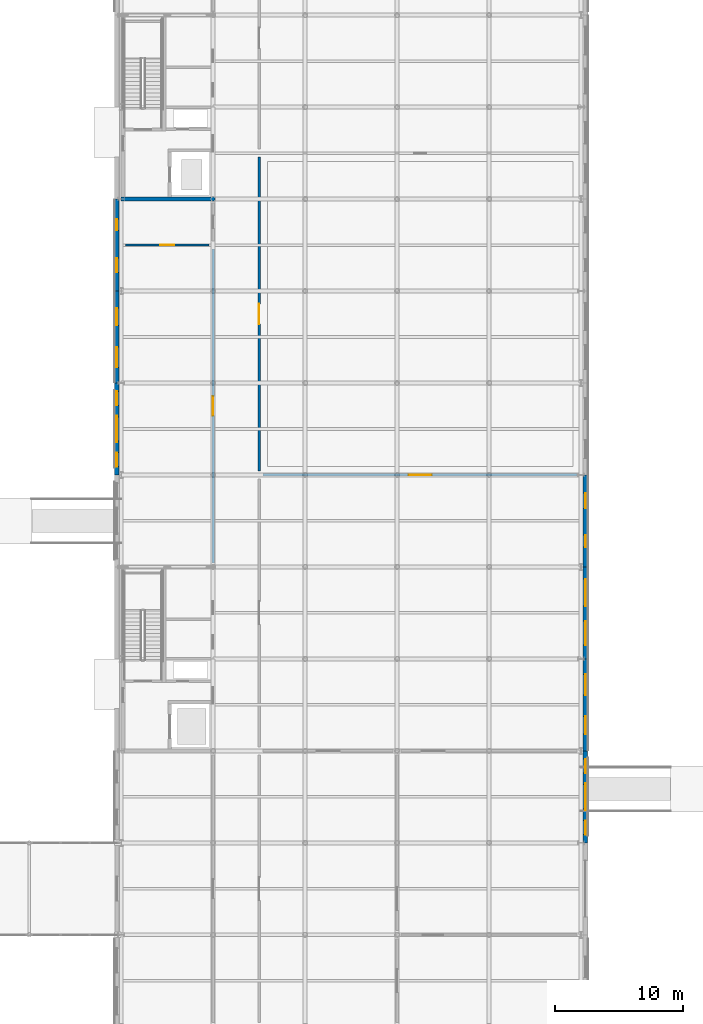
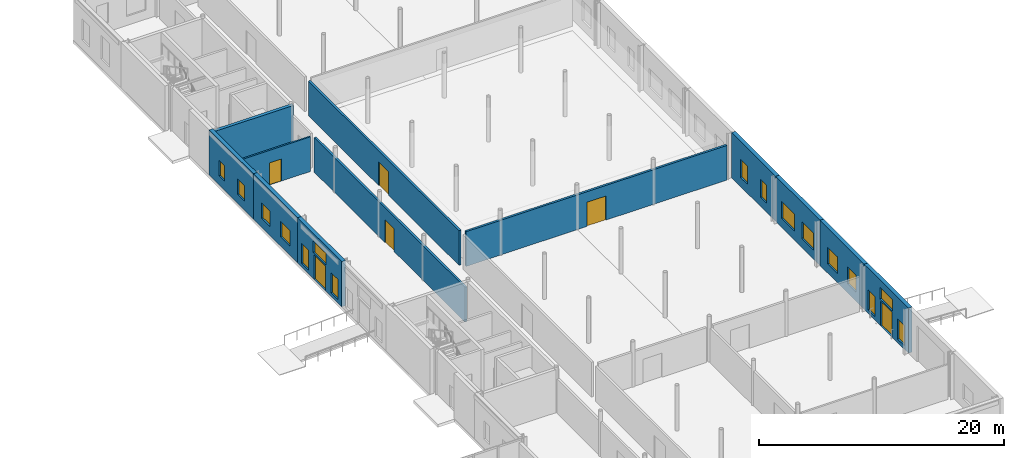
# One storey, part 68 of 92: 16 windows, 12 walls, 6 doors, 22 openings.
"""IFC4 building model written with IfcOpenShell, lengths in metres."""

from ifc_helpers import new_model, si_unit, direction, frame, frame_2d, origin, place, context, subcontext, project, spatial, rectangle, extrude, material, layer, layer_set, type_object, element, fill, save


model = new_model("IFC4")

# Units and contexts
model_context = context("Model", 3, precision=1e-05, world=origin(), true_north=direction((0.0, 1.0)))
body_context = subcontext(model_context, "Body", "Model", "MODEL_VIEW")
ifc_project = project(units=[si_unit("LENGTHUNIT", "METRE"), si_unit("AREAUNIT", "SQUARE_METRE"), si_unit("VOLUMEUNIT", "CUBIC_METRE"), si_unit("PLANEANGLEUNIT", "RADIAN"), si_unit("MASSUNIT", "GRAM", prefix="KILO")], contexts=[model_context])

# Site, building, storey
site_placement = place(None, origin())
site = spatial("IfcSite", under=ifc_project, at=site_placement, CompositionType="ELEMENT")
building_placement = place(site_placement, origin())
building = spatial("IfcBuilding", under=site, at=building_placement, Name="Zlatovets Crest Museum", CompositionType="ELEMENT")
storey_placement = place(building_placement, origin())
storey = spatial("IfcBuildingStorey", under=building, at=storey_placement, Name="L00", CompositionType="ELEMENT", Elevation=0.0)

# Wall
ifc_material_1 = material(Name="Concrete C35/45", Category="concrete")
ifc_layer_1 = layer(ifc_material_1, 0.300048828125)
ifc_layer_set_1 = layer_set([ifc_layer_1], Name="Concrete C35/45")
wall_type_1 = type_object("IfcWallType", Name="CoreWall_SW01", PredefinedType="SHEAR", material=ifc_layer_set_1)
wall_1_placement = place(storey_placement, frame((129.60009765625, 79.199951171875, 0.0), z_axis=(0.0, 0.0, 1.0), x_axis=(1.0, 0.0, 0.0)))
element("IfcWall", 1, at=wall_1_placement, inside=storey, type_object=wall_type_1, Name="Core C7 L00 South Shear Wall", PredefinedType="SHEAR", context=body_context, shape_type="SweptSolid", body=[
    extrude(rectangle(XDim=7.349853515625, YDim=0.300048828125, at=frame_2d((3.6748046875, 0.0))), origin(), (0.0, 0.0, 1.0), 4.280029296875),
])

# Wall, openings, door, windows
ifc_material_2 = material(Name="Vratsa limestone ashlar masonry and mineral wool", Category="masonry")
ifc_layer_2 = layer(ifc_material_2, 0.35009765625)
ifc_layer_set_2 = layer_set([ifc_layer_2], Name="Vratsa limestone ashlar masonry and mineral wool")
wall_type_2 = type_object("IfcWallType", Name="ExtWall_EW-01", PredefinedType="STANDARD", material=ifc_layer_set_2)
wall_2_placement = place(storey_placement, frame((165.93994140625, 28.800048828125, 0.0), z_axis=(0.0, 0.0, 1.0), x_axis=(0.0, 1.0, 0.0)))
wall_2 = element("IfcWall", 2, at=wall_2_placement, inside=storey, type_object=wall_type_2, Name="V5 L00 Sculpted Art Nouveau Portal Wall", PredefinedType="STANDARD", context=body_context, shape_type="SweptSolid", body=[
    extrude(rectangle(XDim=7.199951171875, YDim=0.35009765625, at=frame_2d((3.60009765625, 0.0))), origin(), (0.0, 0.0, 1.0), 4.5),
])
opening_1_placement = place(wall_2_placement, frame((2.64990234375, 0.0, 0.0)))
opening_1 = element("IfcOpeningElement", 3, at=opening_1_placement, cuts=wall_2, Name="Opening ED-02", PredefinedType="OPENING", context=body_context, shape_type="SweptSolid", body=[
    extrude(rectangle(XDim=1.89990234375, YDim=2.449951171875, at=frame_2d((0.949951171875, 1.22509765625))), frame((0.0, 0.18505859375, 0.0), z_axis=(0.0, -1.0, 0.0), x_axis=(1.0, 0.0, 0.0)), (0.0, 0.0, 1.0), 0.3701171875),
])
opening_2_placement = place(wall_2_placement, frame((2.550048828125, 0.0, 2.60009765625)))
opening_2 = element("IfcOpeningElement", 4, at=opening_2_placement, cuts=wall_2, Name="Opening WN-13", PredefinedType="OPENING", context=body_context, shape_type="SweptSolid", body=[
    extrude(rectangle(XDim=2.10009765625, YDim=1.14990234375, at=frame_2d((1.050048828125, 0.574951171875))), frame((0.0, 0.18505859375, 0.0), z_axis=(0.0, -1.0, 0.0), x_axis=(1.0, 0.0, 0.0)), (0.0, 0.0, 1.0), 0.3701171875),
])
opening_3_placement = place(wall_2_placement, frame((0.64990234375, 0.0, 0.35009765625)))
opening_3 = element("IfcOpeningElement", 5, at=opening_3_placement, cuts=wall_2, Name="Opening WN-06", PredefinedType="OPENING", context=body_context, shape_type="SweptSolid", body=[
    extrude(rectangle(XDim=1.10009765625, YDim=2.0, at=frame_2d((0.550048828125, 1.0))), frame((0.0, 0.18505859375, 0.0), z_axis=(0.0, -1.0, 0.0), x_axis=(1.0, 0.0, 0.0)), (0.0, 0.0, 1.0), 0.3701171875),
])
opening_4_placement = place(wall_2_placement, frame((5.449951171875, 0.0, 0.35009765625)))
opening_4 = element("IfcOpeningElement", 6, at=opening_4_placement, cuts=wall_2, Name="Opening WN-06", PredefinedType="OPENING", context=body_context, shape_type="SweptSolid", body=[
    extrude(rectangle(XDim=1.10009765625, YDim=2.0, at=frame_2d((0.550048828125, 1.0))), frame((0.0, 0.18505859375, 0.0), z_axis=(0.0, -1.0, 0.0), x_axis=(1.0, 0.0, 0.0)), (0.0, 0.0, 1.0), 0.3701171875),
])
ifc_material_3 = material(Name="Bronze-clad insulated steel door", Category="steel")
door_type_1 = type_object("IfcDoorType", Name="ExtDoor_ED-02", OperationType="NOTDEFINED", PredefinedType="DOOR", material=ifc_material_3)
door_1_placement = place(opening_1_placement, origin())
door_1 = element("IfcDoor", 7, at=door_1_placement, inside=storey, type_object=door_type_1, Name="ED-V5-L00-P043 LOADING DOCK SERVICE PORTAL Exit Door", OperationType="DOUBLE_DOOR_SINGLE_SWING", OverallHeight=2.449951171875, OverallWidth=1.89990234375, PredefinedType="DOOR", context=body_context, shape_type="SweptSolid", body=[
    extrude(rectangle(XDim=1.89990234375, YDim=2.449951171875, at=frame_2d((0.949951171875, 1.22509765625))), frame((0.0, 0.02490234375, 0.0), z_axis=(0.0, -1.0, 0.0), x_axis=(1.0, 0.0, 0.0)), (0.0, 0.0, 1.0), 0.050048828125),
])
fill(opening_1, door_1)
ifc_material_4 = material(Name="Bronze-anodised aluminium frame with low-E triple glass", Category="aluminium")
window_type_1 = type_object("IfcWindowType", Name="Win_WN-06", PartitioningType="SINGLE_PANEL", PredefinedType="WINDOW", material=ifc_material_4)
window_1_placement = place(opening_3_placement, origin())
window_1 = element("IfcWindow", 8, at=window_1_placement, inside=storey, type_object=window_type_1, Name="LOADING DOCK SERVICE PORTAL Glazed Portal Sidelight 1", OverallHeight=2.0, OverallWidth=1.10009765625, PartitioningType="SINGLE_PANEL", PredefinedType="WINDOW", context=body_context, shape_type="SweptSolid", body=[
    extrude(rectangle(XDim=1.10009765625, YDim=2.0, at=frame_2d((0.550048828125, 1.0))), frame((0.0, 0.030029296875, 0.0), z_axis=(0.0, -1.0, 0.0), x_axis=(1.0, 0.0, 0.0)), (0.0, 0.0, 1.0), 0.06005859375),
])
fill(opening_3, window_1)
window_2_placement = place(opening_4_placement, origin())
window_2 = element("IfcWindow", 9, at=window_2_placement, inside=storey, type_object=window_type_1, Name="LOADING DOCK SERVICE PORTAL Glazed Portal Sidelight 2", OverallHeight=2.0, OverallWidth=1.10009765625, PartitioningType="SINGLE_PANEL", PredefinedType="WINDOW", context=body_context, shape_type="SweptSolid", body=[
    extrude(rectangle(XDim=1.10009765625, YDim=2.0, at=frame_2d((0.550048828125, 1.0))), frame((0.0, 0.030029296875, 0.0), z_axis=(0.0, -1.0, 0.0), x_axis=(1.0, 0.0, 0.0)), (0.0, 0.0, 1.0), 0.06005859375),
])
fill(opening_4, window_2)
window_type_2 = type_object("IfcWindowType", Name="Win_WN-13", PartitioningType="SINGLE_PANEL", PredefinedType="WINDOW", material=ifc_material_4)
window_3_placement = place(opening_2_placement, origin())
window_3 = element("IfcWindow", 10, at=window_3_placement, inside=storey, type_object=window_type_2, Name="LOADING DOCK SERVICE PORTAL Arched Portal Fanlight", OverallHeight=1.14990234375, OverallWidth=2.10009765625, PartitioningType="SINGLE_PANEL", PredefinedType="WINDOW", context=body_context, shape_type="SweptSolid", body=[
    extrude(rectangle(XDim=2.10009765625, YDim=1.14990234375, at=frame_2d((1.050048828125, 0.574951171875))), frame((0.0, 0.030029296875, 0.0), z_axis=(0.0, -1.0, 0.0), x_axis=(1.0, 0.0, 0.0)), (0.0, 0.0, 1.0), 0.06005859375),
])
fill(opening_2, window_3)

# Wall, openings, windows
wall_3_placement = place(storey_placement, frame((165.93994140625, 36.0, 0.0), z_axis=(0.0, 0.0, 1.0), x_axis=(0.0, 1.0, 0.0)))
wall_3 = element("IfcWall", 11, at=wall_3_placement, inside=storey, type_object=wall_type_2, Name="V5 L00 Vratsa Limestone Plinth Wall", PredefinedType="STANDARD", context=body_context, shape_type="SweptSolid", body=[
    extrude(rectangle(XDim=7.199951171875, YDim=0.35009765625, at=frame_2d((3.60009765625, 0.0))), origin(), (0.0, 0.0, 1.0), 4.5),
])
opening_5_placement = place(wall_3_placement, frame((1.321044921875, 0.0, 0.89990234375)))
opening_5 = element("IfcOpeningElement", 12, at=opening_5_placement, cuts=wall_3, Name="Opening WN-24", PredefinedType="OPENING", context=body_context, shape_type="SweptSolid", body=[
    extrude(rectangle(XDim=1.389892578125, YDim=1.679931640625, at=frame_2d((0.69482421875, 0.83984375))), frame((0.0, 0.18505859375, 0.0), z_axis=(0.0, -1.0, 0.0), x_axis=(1.0, 0.0, 0.0)), (0.0, 0.0, 1.0), 0.3701171875),
])
opening_6_placement = place(wall_3_placement, frame((4.368896484375, 0.0, 0.89990234375)))
opening_6 = element("IfcOpeningElement", 13, at=opening_6_placement, cuts=wall_3, Name="Opening WN-25", PredefinedType="OPENING", context=body_context, shape_type="SweptSolid", body=[
    extrude(rectangle(XDim=1.6298828125, YDim=1.679931640625, at=frame_2d((0.81494140625, 0.83984375))), frame((0.0, 0.18505859375, 0.0), z_axis=(0.0, -1.0, 0.0), x_axis=(1.0, 0.0, 0.0)), (0.0, 0.0, 1.0), 0.3701171875),
])
window_type_3 = type_object("IfcWindowType", Name="Win_WN-24", PartitioningType="SINGLE_PANEL", PredefinedType="WINDOW", material=ifc_material_4)
window_4_placement = place(opening_5_placement, origin())
window_4 = element("IfcWindow", 14, at=window_4_placement, inside=storey, type_object=window_type_3, Name="V5 L00 Secession Plinth Window WN-24", OverallHeight=1.679931640625, OverallWidth=1.389892578125, PartitioningType="SINGLE_PANEL", PredefinedType="WINDOW", context=body_context, shape_type="SweptSolid", body=[
    extrude(rectangle(XDim=1.389892578125, YDim=1.679931640625, at=frame_2d((0.69482421875, 0.83984375))), frame((0.0, 0.030029296875, 0.0), z_axis=(0.0, -1.0, 0.0), x_axis=(1.0, 0.0, 0.0)), (0.0, 0.0, 1.0), 0.06005859375),
])
fill(opening_5, window_4)
window_type_4 = type_object("IfcWindowType", Name="Win_WN-25", PartitioningType="SINGLE_PANEL", PredefinedType="WINDOW", material=ifc_material_4)
window_5_placement = place(opening_6_placement, origin())
window_5 = element("IfcWindow", 15, at=window_5_placement, inside=storey, type_object=window_type_4, Name="V5 L00 Secession Plinth Window WN-25", OverallHeight=1.679931640625, OverallWidth=1.6298828125, PartitioningType="SINGLE_PANEL", PredefinedType="WINDOW", context=body_context, shape_type="SweptSolid", body=[
    extrude(rectangle(XDim=1.6298828125, YDim=1.679931640625, at=frame_2d((0.81494140625, 0.83984375))), frame((0.0, 0.030029296875, 0.0), z_axis=(0.0, -1.0, 0.0), x_axis=(1.0, 0.0, 0.0)), (0.0, 0.0, 1.0), 0.06005859375),
])
fill(opening_6, window_5)

wall_4_placement = place(storey_placement, frame((165.93994140625, 43.199951171875, 0.0), z_axis=(0.0, 0.0, 1.0), x_axis=(0.0, 1.0, 0.0)))
wall_4 = element("IfcWall", 16, at=wall_4_placement, inside=storey, type_object=wall_type_2, Name="V5 L00 Vratsa Limestone Plinth Wall", PredefinedType="STANDARD", context=body_context, shape_type="SweptSolid", body=[
    extrude(rectangle(XDim=7.199951171875, YDim=0.35009765625, at=frame_2d((3.60009765625, 0.0))), origin(), (0.0, 0.0, 1.0), 4.5),
])
opening_7_placement = place(wall_4_placement, frame((1.0810546875, 0.0, 0.89990234375)))
opening_7 = element("IfcOpeningElement", 17, at=opening_7_placement, cuts=wall_4, Name="Opening WN-26", PredefinedType="OPENING", context=body_context, shape_type="SweptSolid", body=[
    extrude(rectangle(XDim=1.8701171875, YDim=1.679931640625, at=frame_2d((0.93505859375, 0.83984375))), frame((0.0, 0.18505859375, 0.0), z_axis=(0.0, -1.0, 0.0), x_axis=(1.0, 0.0, 0.0)), (0.0, 0.0, 1.0), 0.3701171875),
])
opening_8_placement = place(wall_4_placement, frame((4.12890625, 0.0, 0.89990234375)))
opening_8 = element("IfcOpeningElement", 18, at=opening_8_placement, cuts=wall_4, Name="Opening WN-27", PredefinedType="OPENING", context=body_context, shape_type="SweptSolid", body=[
    extrude(rectangle(XDim=2.110107421875, YDim=1.679931640625, at=frame_2d((1.05517578125, 0.83984375))), frame((0.0, 0.18505859375, 0.0), z_axis=(0.0, -1.0, 0.0), x_axis=(1.0, 0.0, 0.0)), (0.0, 0.0, 1.0), 0.3701171875),
])
window_type_5 = type_object("IfcWindowType", Name="Win_WN-26", PartitioningType="SINGLE_PANEL", PredefinedType="WINDOW", material=ifc_material_4)
window_6_placement = place(opening_7_placement, origin())
window_6 = element("IfcWindow", 19, at=window_6_placement, inside=storey, type_object=window_type_5, Name="V5 L00 Secession Plinth Window WN-26", OverallHeight=1.679931640625, OverallWidth=1.8701171875, PartitioningType="SINGLE_PANEL", PredefinedType="WINDOW", context=body_context, shape_type="SweptSolid", body=[
    extrude(rectangle(XDim=1.8701171875, YDim=1.679931640625, at=frame_2d((0.93505859375, 0.83984375))), frame((0.0, 0.030029296875, 0.0), z_axis=(0.0, -1.0, 0.0), x_axis=(1.0, 0.0, 0.0)), (0.0, 0.0, 1.0), 0.06005859375),
])
fill(opening_7, window_6)
window_type_6 = type_object("IfcWindowType", Name="Win_WN-27", PartitioningType="SINGLE_PANEL", PredefinedType="WINDOW", material=ifc_material_4)
window_7_placement = place(opening_8_placement, origin())
window_7 = element("IfcWindow", 20, at=window_7_placement, inside=storey, type_object=window_type_6, Name="V5 L00 Secession Plinth Window WN-27", OverallHeight=1.679931640625, OverallWidth=2.110107421875, PartitioningType="SINGLE_PANEL", PredefinedType="WINDOW", context=body_context, shape_type="SweptSolid", body=[
    extrude(rectangle(XDim=2.110107421875, YDim=1.679931640625, at=frame_2d((1.05517578125, 0.83984375))), frame((0.0, 0.030029296875, 0.0), z_axis=(0.0, -1.0, 0.0), x_axis=(1.0, 0.0, 0.0)), (0.0, 0.0, 1.0), 0.06005859375),
])
fill(opening_8, window_7)

wall_5_placement = place(storey_placement, frame((165.93994140625, 50.39990234375, 0.0), z_axis=(0.0, 0.0, 1.0), x_axis=(0.0, 1.0, 0.0)))
wall_5 = element("IfcWall", 21, at=wall_5_placement, inside=storey, type_object=wall_type_2, Name="V5 L00 Vratsa Limestone Plinth Wall", PredefinedType="STANDARD", context=body_context, shape_type="SweptSolid", body=[
    extrude(rectangle(XDim=7.2001953125, YDim=0.35009765625, at=frame_2d((3.60009765625, 0.0))), origin(), (0.0, 0.0, 1.0), 4.5),
])
opening_9_placement = place(wall_5_placement, frame((1.5458984375, 0.0, 0.89990234375)))
opening_9 = element("IfcOpeningElement", 22, at=opening_9_placement, cuts=wall_5, Name="Opening WN-28", PredefinedType="OPENING", context=body_context, shape_type="SweptSolid", body=[
    extrude(rectangle(XDim=0.93994140625, YDim=1.820068359375, at=frame_2d((0.469970703125, 0.91015625))), frame((0.0, 0.18505859375, 0.0), z_axis=(0.0, -1.0, 0.0), x_axis=(1.0, 0.0, 0.0)), (0.0, 0.0, 1.0), 0.3701171875),
])
opening_10_placement = place(wall_5_placement, frame((4.593994140625, 0.0, 0.89990234375)))
opening_10 = element("IfcOpeningElement", 23, at=opening_10_placement, cuts=wall_5, Name="Opening WN-29", PredefinedType="OPENING", context=body_context, shape_type="SweptSolid", body=[
    extrude(rectangle(XDim=1.179931640625, YDim=1.820068359375, at=frame_2d((0.58984375, 0.91015625))), frame((0.0, 0.18505859375, 0.0), z_axis=(0.0, -1.0, 0.0), x_axis=(1.0, 0.0, 0.0)), (0.0, 0.0, 1.0), 0.3701171875),
])
window_type_7 = type_object("IfcWindowType", Name="Win_WN-28", PartitioningType="SINGLE_PANEL", PredefinedType="WINDOW", material=ifc_material_4)
window_8_placement = place(opening_9_placement, origin())
window_8 = element("IfcWindow", 24, at=window_8_placement, inside=storey, type_object=window_type_7, Name="V5 L00 Secession Plinth Window WN-28", OverallHeight=1.820068359375, OverallWidth=0.93994140625, PartitioningType="SINGLE_PANEL", PredefinedType="WINDOW", context=body_context, shape_type="SweptSolid", body=[
    extrude(rectangle(XDim=0.93994140625, YDim=1.820068359375, at=frame_2d((0.469970703125, 0.91015625))), frame((0.0, 0.030029296875, 0.0), z_axis=(0.0, -1.0, 0.0), x_axis=(1.0, 0.0, 0.0)), (0.0, 0.0, 1.0), 0.06005859375),
])
fill(opening_9, window_8)
window_type_8 = type_object("IfcWindowType", Name="Win_WN-29", PartitioningType="SINGLE_PANEL", PredefinedType="WINDOW", material=ifc_material_4)
window_9_placement = place(opening_10_placement, origin())
window_9 = element("IfcWindow", 25, at=window_9_placement, inside=storey, type_object=window_type_8, Name="V5 L00 Secession Plinth Window WN-29", OverallHeight=1.820068359375, OverallWidth=1.179931640625, PartitioningType="SINGLE_PANEL", PredefinedType="WINDOW", context=body_context, shape_type="SweptSolid", body=[
    extrude(rectangle(XDim=1.179931640625, YDim=1.820068359375, at=frame_2d((0.58984375, 0.91015625))), frame((0.0, 0.030029296875, 0.0), z_axis=(0.0, -1.0, 0.0), x_axis=(1.0, 0.0, 0.0)), (0.0, 0.0, 1.0), 0.06005859375),
])
fill(opening_10, window_9)

wall_6_placement = place(storey_placement, frame((129.260009765625, 79.199951171875, 0.0), z_axis=(0.0, 0.0, 1.0), x_axis=(0.0, -1.0, 0.0)))
wall_6 = element("IfcWall", 26, at=wall_6_placement, inside=storey, type_object=wall_type_2, Name="V5 L00 Vratsa Limestone Plinth Wall", PredefinedType="STANDARD", context=body_context, shape_type="SweptSolid", body=[
    extrude(rectangle(XDim=7.199951171875, YDim=0.35009765625, at=frame_2d((3.60009765625, 0.0))), origin(), (0.0, 0.0, 1.0), 4.5),
])
opening_11_placement = place(wall_6_placement, frame((1.575927734375, 0.0, 0.89990234375)))
opening_11 = element("IfcOpeningElement", 27, at=opening_11_placement, cuts=wall_6, Name="Opening WN-16", PredefinedType="OPENING", context=body_context, shape_type="SweptSolid", body=[
    extrude(rectangle(XDim=0.8798828125, YDim=1.5400390625, at=frame_2d((0.43994140625, 0.77001953125))), frame((0.0, 0.18505859375, 0.0), z_axis=(0.0, -1.0, 0.0), x_axis=(1.0, 0.0, 0.0)), (0.0, 0.0, 1.0), 0.3701171875),
])
opening_12_placement = place(wall_6_placement, frame((4.6240234375, 0.0, 0.89990234375)))
opening_12 = element("IfcOpeningElement", 28, at=opening_12_placement, cuts=wall_6, Name="Opening WN-17", PredefinedType="OPENING", context=body_context, shape_type="SweptSolid", body=[
    extrude(rectangle(XDim=1.1201171875, YDim=1.5400390625, at=frame_2d((0.56005859375, 0.77001953125))), frame((0.0, 0.18505859375, 0.0), z_axis=(0.0, -1.0, 0.0), x_axis=(1.0, 0.0, 0.0)), (0.0, 0.0, 1.0), 0.3701171875),
])
window_type_9 = type_object("IfcWindowType", Name="Win_WN-16", PartitioningType="SINGLE_PANEL", PredefinedType="WINDOW", material=ifc_material_4)
window_10_placement = place(opening_11_placement, origin())
window_10 = element("IfcWindow", 29, at=window_10_placement, inside=storey, type_object=window_type_9, Name="V5 L00 Secession Plinth Window WN-16", OverallHeight=1.5400390625, OverallWidth=0.8798828125, PartitioningType="SINGLE_PANEL", PredefinedType="WINDOW", context=body_context, shape_type="SweptSolid", body=[
    extrude(rectangle(XDim=0.8798828125, YDim=1.5400390625, at=frame_2d((0.43994140625, 0.77001953125))), frame((0.0, 0.030029296875, 0.0), z_axis=(0.0, -1.0, 0.0), x_axis=(1.0, 0.0, 0.0)), (0.0, 0.0, 1.0), 0.06005859375),
])
fill(opening_11, window_10)
window_type_10 = type_object("IfcWindowType", Name="Win_WN-17", PartitioningType="SINGLE_PANEL", PredefinedType="WINDOW", material=ifc_material_4)
window_11_placement = place(opening_12_placement, origin())
window_11 = element("IfcWindow", 30, at=window_11_placement, inside=storey, type_object=window_type_10, Name="V5 L00 Secession Plinth Window WN-17", OverallHeight=1.5400390625, OverallWidth=1.1201171875, PartitioningType="SINGLE_PANEL", PredefinedType="WINDOW", context=body_context, shape_type="SweptSolid", body=[
    extrude(rectangle(XDim=1.1201171875, YDim=1.5400390625, at=frame_2d((0.56005859375, 0.77001953125))), frame((0.0, 0.030029296875, 0.0), z_axis=(0.0, -1.0, 0.0), x_axis=(1.0, 0.0, 0.0)), (0.0, 0.0, 1.0), 0.06005859375),
])
fill(opening_12, window_11)

wall_7_placement = place(storey_placement, frame((129.260009765625, 72.0, 0.0), z_axis=(0.0, 0.0, 1.0), x_axis=(0.0, -1.0, 0.0)))
wall_7 = element("IfcWall", 31, at=wall_7_placement, inside=storey, type_object=wall_type_2, Name="V5 L00 Vratsa Limestone Plinth Wall", PredefinedType="STANDARD", context=body_context, shape_type="SweptSolid", body=[
    extrude(rectangle(XDim=7.199951171875, YDim=0.35009765625, at=frame_2d((3.60009765625, 0.0))), origin(), (0.0, 0.0, 1.0), 4.5),
])
opening_13_placement = place(wall_7_placement, frame((1.3359375, 0.0, 0.89990234375)))
opening_13 = element("IfcOpeningElement", 32, at=opening_13_placement, cuts=wall_7, Name="Opening WN-18", PredefinedType="OPENING", context=body_context, shape_type="SweptSolid", body=[
    extrude(rectangle(XDim=1.360107421875, YDim=1.5400390625, at=frame_2d((0.68017578125, 0.77001953125))), frame((0.0, 0.18505859375, 0.0), z_axis=(0.0, -1.0, 0.0), x_axis=(1.0, 0.0, 0.0)), (0.0, 0.0, 1.0), 0.3701171875),
])
opening_14_placement = place(wall_7_placement, frame((4.384033203125, 0.0, 0.89990234375)))
opening_14 = element("IfcOpeningElement", 33, at=opening_14_placement, cuts=wall_7, Name="Opening WN-19", PredefinedType="OPENING", context=body_context, shape_type="SweptSolid", body=[
    extrude(rectangle(XDim=1.60009765625, YDim=1.5400390625, at=frame_2d((0.800048828125, 0.77001953125))), frame((0.0, 0.18505859375, 0.0), z_axis=(0.0, -1.0, 0.0), x_axis=(1.0, 0.0, 0.0)), (0.0, 0.0, 1.0), 0.3701171875),
])
window_type_11 = type_object("IfcWindowType", Name="Win_WN-18", PartitioningType="SINGLE_PANEL", PredefinedType="WINDOW", material=ifc_material_4)
window_12_placement = place(opening_13_placement, origin())
window_12 = element("IfcWindow", 34, at=window_12_placement, inside=storey, type_object=window_type_11, Name="V5 L00 Secession Plinth Window WN-18", OverallHeight=1.5400390625, OverallWidth=1.360107421875, PartitioningType="SINGLE_PANEL", PredefinedType="WINDOW", context=body_context, shape_type="SweptSolid", body=[
    extrude(rectangle(XDim=1.360107421875, YDim=1.5400390625, at=frame_2d((0.68017578125, 0.77001953125))), frame((0.0, 0.030029296875, 0.0), z_axis=(0.0, -1.0, 0.0), x_axis=(1.0, 0.0, 0.0)), (0.0, 0.0, 1.0), 0.06005859375),
])
fill(opening_13, window_12)
window_type_12 = type_object("IfcWindowType", Name="Win_WN-19", PartitioningType="SINGLE_PANEL", PredefinedType="WINDOW", material=ifc_material_4)
window_13_placement = place(opening_14_placement, origin())
window_13 = element("IfcWindow", 35, at=window_13_placement, inside=storey, type_object=window_type_12, Name="V5 L00 Secession Plinth Window WN-19", OverallHeight=1.5400390625, OverallWidth=1.60009765625, PartitioningType="SINGLE_PANEL", PredefinedType="WINDOW", context=body_context, shape_type="SweptSolid", body=[
    extrude(rectangle(XDim=1.60009765625, YDim=1.5400390625, at=frame_2d((0.800048828125, 0.77001953125))), frame((0.0, 0.030029296875, 0.0), z_axis=(0.0, -1.0, 0.0), x_axis=(1.0, 0.0, 0.0)), (0.0, 0.0, 1.0), 0.06005859375),
])
fill(opening_14, window_13)

# Wall, openings, door, windows
wall_8_placement = place(storey_placement, frame((129.260009765625, 64.800048828125, 0.0), z_axis=(0.0, 0.0, 1.0), x_axis=(0.0, -1.0, 0.0)))
wall_8 = element("IfcWall", 36, at=wall_8_placement, inside=storey, type_object=wall_type_2, Name="V5 L00 Sculpted Art Nouveau Portal Wall", PredefinedType="STANDARD", context=body_context, shape_type="SweptSolid", body=[
    extrude(rectangle(XDim=7.199951171875, YDim=0.35009765625, at=frame_2d((3.60009765625, 0.0))), origin(), (0.0, 0.0, 1.0), 4.5),
])
opening_15_placement = place(wall_8_placement, frame((2.64990234375, 0.0, 0.0)))
opening_15 = element("IfcOpeningElement", 37, at=opening_15_placement, cuts=wall_8, Name="Opening ED-02", PredefinedType="OPENING", context=body_context, shape_type="SweptSolid", body=[
    extrude(rectangle(XDim=1.89990234375, YDim=2.449951171875, at=frame_2d((0.949951171875, 1.22509765625))), frame((0.0, 0.18505859375, 0.0), z_axis=(0.0, -1.0, 0.0), x_axis=(1.0, 0.0, 0.0)), (0.0, 0.0, 1.0), 0.3701171875),
])
opening_16_placement = place(wall_8_placement, frame((2.550048828125, 0.0, 2.60009765625)))
opening_16 = element("IfcOpeningElement", 38, at=opening_16_placement, cuts=wall_8, Name="Opening WN-13", PredefinedType="OPENING", context=body_context, shape_type="SweptSolid", body=[
    extrude(rectangle(XDim=2.10009765625, YDim=1.14990234375, at=frame_2d((1.050048828125, 0.574951171875))), frame((0.0, 0.18505859375, 0.0), z_axis=(0.0, -1.0, 0.0), x_axis=(1.0, 0.0, 0.0)), (0.0, 0.0, 1.0), 0.3701171875),
])
opening_17_placement = place(wall_8_placement, frame((0.64990234375, 0.0, 0.35009765625)))
opening_17 = element("IfcOpeningElement", 39, at=opening_17_placement, cuts=wall_8, Name="Opening WN-06", PredefinedType="OPENING", context=body_context, shape_type="SweptSolid", body=[
    extrude(rectangle(XDim=1.10009765625, YDim=2.0, at=frame_2d((0.550048828125, 1.0))), frame((0.0, 0.18505859375, 0.0), z_axis=(0.0, -1.0, 0.0), x_axis=(1.0, 0.0, 0.0)), (0.0, 0.0, 1.0), 0.3701171875),
])
opening_18_placement = place(wall_8_placement, frame((5.449951171875, 0.0, 0.35009765625)))
opening_18 = element("IfcOpeningElement", 40, at=opening_18_placement, cuts=wall_8, Name="Opening WN-06", PredefinedType="OPENING", context=body_context, shape_type="SweptSolid", body=[
    extrude(rectangle(XDim=1.10009765625, YDim=2.0, at=frame_2d((0.550048828125, 1.0))), frame((0.0, 0.18505859375, 0.0), z_axis=(0.0, -1.0, 0.0), x_axis=(1.0, 0.0, 0.0)), (0.0, 0.0, 1.0), 0.3701171875),
])
door_2_placement = place(opening_15_placement, origin())
door_2 = element("IfcDoor", 41, at=door_2_placement, inside=storey, type_object=door_type_1, Name="ED-V5-L00-P044 CONSERVATION COURT PORTAL Exit Door", OperationType="DOUBLE_DOOR_SINGLE_SWING", OverallHeight=2.449951171875, OverallWidth=1.89990234375, PredefinedType="DOOR", context=body_context, shape_type="SweptSolid", body=[
    extrude(rectangle(XDim=1.89990234375, YDim=2.449951171875, at=frame_2d((0.949951171875, 1.22509765625))), frame((0.0, 0.02490234375, 0.0), z_axis=(0.0, -1.0, 0.0), x_axis=(1.0, 0.0, 0.0)), (0.0, 0.0, 1.0), 0.050048828125),
])
fill(opening_15, door_2)
window_14_placement = place(opening_17_placement, origin())
window_14 = element("IfcWindow", 42, at=window_14_placement, inside=storey, type_object=window_type_1, Name="CONSERVATION COURT PORTAL Glazed Portal Sidelight 1", OverallHeight=2.0, OverallWidth=1.10009765625, PartitioningType="SINGLE_PANEL", PredefinedType="WINDOW", context=body_context, shape_type="SweptSolid", body=[
    extrude(rectangle(XDim=1.10009765625, YDim=2.0, at=frame_2d((0.550048828125, 1.0))), frame((0.0, 0.030029296875, 0.0), z_axis=(0.0, -1.0, 0.0), x_axis=(1.0, 0.0, 0.0)), (0.0, 0.0, 1.0), 0.06005859375),
])
fill(opening_17, window_14)
window_15_placement = place(opening_18_placement, origin())
window_15 = element("IfcWindow", 43, at=window_15_placement, inside=storey, type_object=window_type_1, Name="CONSERVATION COURT PORTAL Glazed Portal Sidelight 2", OverallHeight=2.0, OverallWidth=1.10009765625, PartitioningType="SINGLE_PANEL", PredefinedType="WINDOW", context=body_context, shape_type="SweptSolid", body=[
    extrude(rectangle(XDim=1.10009765625, YDim=2.0, at=frame_2d((0.550048828125, 1.0))), frame((0.0, 0.030029296875, 0.0), z_axis=(0.0, -1.0, 0.0), x_axis=(1.0, 0.0, 0.0)), (0.0, 0.0, 1.0), 0.06005859375),
])
fill(opening_18, window_15)
window_16_placement = place(opening_16_placement, origin())
window_16 = element("IfcWindow", 44, at=window_16_placement, inside=storey, type_object=window_type_2, Name="CONSERVATION COURT PORTAL Arched Portal Fanlight", OverallHeight=1.14990234375, OverallWidth=2.10009765625, PartitioningType="SINGLE_PANEL", PredefinedType="WINDOW", context=body_context, shape_type="SweptSolid", body=[
    extrude(rectangle(XDim=2.10009765625, YDim=1.14990234375, at=frame_2d((1.050048828125, 0.574951171875))), frame((0.0, 0.030029296875, 0.0), z_axis=(0.0, -1.0, 0.0), x_axis=(1.0, 0.0, 0.0)), (0.0, 0.0, 1.0), 0.06005859375),
])
fill(opening_16, window_16)

# Wall, opening, door
ifc_material_5 = material(Name="Gypsum-encased fire compartment partition")
ifc_layer_3 = layer(ifc_material_5, 0.199951171875)
ifc_layer_set_3 = layer_set([ifc_layer_3], Name="Gypsum-encased fire compartment partition")
wall_type_3 = type_object("IfcWallType", Name="PartWall_PT-01", PredefinedType="PARTITIONING", material=ifc_layer_set_3)
wall_9_placement = place(storey_placement, frame((140.39990234375, 57.919921875, 0.0), z_axis=(0.0, 0.0, 1.0), x_axis=(0.0, 1.0, 0.0)))
wall_9 = element("IfcWall", 45, at=wall_9_placement, inside=storey, type_object=wall_type_3, Name="V5 L00 Interior Partition PT-01", PredefinedType="PARTITIONING", context=body_context, shape_type="SweptSolid", body=[
    extrude(rectangle(XDim=24.56005859375, YDim=0.199951171875, at=frame_2d((12.280029296875, 0.0))), origin(), (0.0, 0.0, 1.0), 3.449951171875),
])
opening_19_placement = place(wall_9_placement, frame((11.47998046875, 0.0, 0.0)))
opening_19 = element("IfcOpeningElement", 46, at=opening_19_placement, cuts=wall_9, Name="Opening ID-04", PredefinedType="OPENING", context=body_context, shape_type="SweptSolid", body=[
    extrude(rectangle(XDim=1.60009765625, YDim=2.35009765625, at=frame_2d((0.800048828125, 1.175048828125))), frame((0.0, 0.10986328125, 0.0), z_axis=(0.0, -1.0, 0.0), x_axis=(1.0, 0.0, 0.0)), (0.0, 0.0, 1.0), 0.219970703125),
])
ifc_material_6 = material(Name="Gallery salon double portal door")
door_type_2 = type_object("IfcDoorType", Name="IntDoor_ID-04", OperationType="DOUBLE_DOOR_SINGLE_SWING", PredefinedType="DOOR", material=ifc_material_6)
door_3_placement = place(opening_19_placement, origin())
door_3 = element("IfcDoor", 47, at=door_3_placement, inside=storey, type_object=door_type_2, Name="IDOOR-V5-L00-0082 Conservation Ground Corridor to Visible Open-Storage Study Gallery Door", OperationType="DOUBLE_DOOR_SINGLE_SWING", OverallHeight=2.35009765625, OverallWidth=1.60009765625, PredefinedType="DOOR", context=body_context, shape_type="SweptSolid", body=[
    extrude(rectangle(XDim=1.60009765625, YDim=2.35009765625, at=frame_2d((0.800048828125, 1.175048828125))), frame((0.0, 0.02490234375, 0.0), z_axis=(0.0, -1.0, 0.0), x_axis=(1.0, 0.0, 0.0)), (0.0, 0.0, 1.0), 0.050048828125),
])
fill(opening_19, door_3)

wall_10_placement = place(storey_placement, frame((136.800048828125, 50.719970703125, 0.0), z_axis=(0.0, 0.0, 1.0), x_axis=(0.0, 1.0, 0.0)))
wall_10 = element("IfcWall", 48, at=wall_10_placement, inside=storey, type_object=wall_type_3, Name="V5 L00 Interior Partition PT-01", PredefinedType="PARTITIONING", context=body_context, shape_type="SweptSolid", body=[
    extrude(rectangle(XDim=24.56005859375, YDim=0.199951171875, at=frame_2d((12.280029296875, 0.0))), origin(), (0.0, 0.0, 1.0), 3.449951171875),
])
opening_20_placement = place(wall_10_placement, frame((11.530029296875, 0.0, 0.0)))
opening_20 = element("IfcOpeningElement", 49, at=opening_20_placement, cuts=wall_10, Name="Opening FD-02", PredefinedType="OPENING", context=body_context, shape_type="SweptSolid", body=[
    extrude(rectangle(XDim=1.5, YDim=2.25, at=frame_2d((0.75, 1.125))), frame((0.0, 0.10986328125, 0.0), z_axis=(0.0, -1.0, 0.0), x_axis=(1.0, 0.0, 0.0)), (0.0, 0.0, 1.0), 0.219970703125),
])
ifc_material_7 = material(Name="Double corridor compartment fire door")
door_type_3 = type_object("IfcDoorType", Name="IntDoor_FD-02", OperationType="DOUBLE_DOOR_SINGLE_SWING", PredefinedType="DOOR", material=ifc_material_7)
door_4_placement = place(opening_20_placement, origin())
door_4 = element("IfcDoor", 50, at=door_4_placement, inside=storey, type_object=door_type_3, Name="IDOOR-V5-L00-0084 Conservation Ground Corridor to East Court Visitor Foyer Door", OperationType="DOUBLE_DOOR_SINGLE_SWING", OverallHeight=2.25, OverallWidth=1.5, PredefinedType="DOOR", context=body_context, shape_type="SweptSolid", body=[
    extrude(rectangle(XDim=1.5, YDim=2.25, at=frame_2d((0.75, 1.125))), frame((0.0, 0.02490234375, 0.0), z_axis=(0.0, -1.0, 0.0), x_axis=(1.0, 0.0, 0.0)), (0.0, 0.0, 1.0), 0.050048828125),
])
fill(opening_20, door_4)

wall_11_placement = place(storey_placement, frame((140.719970703125, 57.60009765625, 0.0), z_axis=(0.0, 0.0, 1.0), x_axis=(1.0, 0.0, 0.0)))
wall_11 = element("IfcWall", 51, at=wall_11_placement, inside=storey, type_object=wall_type_3, Name="V5 L00 Interior Partition PT-01", PredefinedType="PARTITIONING", context=body_context, shape_type="SweptSolid", body=[
    extrude(rectangle(XDim=24.56005859375, YDim=0.199951171875, at=frame_2d((12.280029296875, 0.0))), origin(), (0.0, 0.0, 1.0), 3.449951171875),
])
opening_21_placement = place(wall_11_placement, frame((11.3798828125, 0.0, 0.0)))
opening_21 = element("IfcOpeningElement", 52, at=opening_21_placement, cuts=wall_11, Name="Opening FD-04", PredefinedType="OPENING", context=body_context, shape_type="SweptSolid", body=[
    extrude(rectangle(XDim=1.800048828125, YDim=2.39990234375, at=frame_2d((0.89990234375, 1.199951171875))), frame((0.0, 0.10986328125, 0.0), z_axis=(0.0, -1.0, 0.0), x_axis=(1.0, 0.0, 0.0)), (0.0, 0.0, 1.0), 0.219970703125),
])
ifc_material_8 = material(Name="Archive vault heavy fire door")
door_type_4 = type_object("IfcDoorType", Name="IntDoor_FD-04", OperationType="DOUBLE_DOOR_SINGLE_SWING", PredefinedType="DOOR", material=ifc_material_8)
door_5_placement = place(opening_21_placement, origin())
door_5 = element("IfcDoor", 53, at=door_5_placement, inside=storey, type_object=door_type_4, Name="IDOOR-V5-L00-0093 Collection Transit Archive to Visible Open-Storage Study Gallery Door", OperationType="DOUBLE_DOOR_SINGLE_SWING", OverallHeight=2.39990234375, OverallWidth=1.800048828125, PredefinedType="DOOR", context=body_context, shape_type="SweptSolid", body=[
    extrude(rectangle(XDim=1.800048828125, YDim=2.39990234375, at=frame_2d((0.89990234375, 1.199951171875))), frame((0.0, 0.02490234375, 0.0), z_axis=(0.0, -1.0, 0.0), x_axis=(1.0, 0.0, 0.0)), (0.0, 0.0, 1.0), 0.050048828125),
])
fill(opening_21, door_5)

ifc_material_9 = material(Name="Acoustic museum gallery stud partition")
ifc_layer_4 = layer(ifc_material_9, 0.159912109375)
ifc_layer_set_4 = layer_set([ifc_layer_4], Name="Acoustic museum gallery stud partition")
wall_type_4 = type_object("IfcWallType", Name="PartWall_PT-02", PredefinedType="PARTITIONING", material=ifc_layer_set_4)
wall_12_placement = place(storey_placement, frame((129.919921875, 75.60009765625, 0.0), z_axis=(0.0, 0.0, 1.0), x_axis=(1.0, 0.0, 0.0)))
wall_12 = element("IfcWall", 54, at=wall_12_placement, inside=storey, type_object=wall_type_4, Name="V5 L00 Interior Partition PT-02", PredefinedType="PARTITIONING", context=body_context, shape_type="SweptSolid", body=[
    extrude(rectangle(XDim=6.56005859375, YDim=0.159912109375, at=frame_2d((3.280029296875, 0.0))), origin(), (0.0, 0.0, 1.0), 3.449951171875),
])
opening_22_placement = place(wall_12_placement, frame((2.72998046875, 0.0, 0.0)))
opening_22 = element("IfcOpeningElement", 55, at=opening_22_placement, cuts=wall_12, Name="Opening ID-10", PredefinedType="OPENING", context=body_context, shape_type="SweptSolid", body=[
    extrude(rectangle(XDim=1.10009765625, YDim=2.199951171875, at=frame_2d((0.550048828125, 1.10009765625))), frame((0.0, 0.08984375, 0.0), z_axis=(0.0, -1.0, 0.0), x_axis=(1.0, 0.0, 0.0)), (0.0, 0.0, 1.0), 0.179931640625),
])
ifc_material_10 = material(Name="Seminar studio acoustic door")
door_type_5 = type_object("IfcDoorType", Name="IntDoor_ID-10", OperationType="NOTDEFINED", PredefinedType="DOOR", material=ifc_material_10)
door_6_placement = place(opening_22_placement, origin())
door_6 = element("IfcDoor", 56, at=door_6_placement, inside=storey, type_object=door_type_5, Name="IDOOR-V5-L00-0095 East Court Visitor Foyer to North Archive Vestibule Door", OperationType="SINGLE_SWING_RIGHT", OverallHeight=2.199951171875, OverallWidth=1.10009765625, PredefinedType="DOOR", context=body_context, shape_type="SweptSolid", body=[
    extrude(rectangle(XDim=1.10009765625, YDim=2.199951171875, at=frame_2d((0.550048828125, 1.10009765625))), frame((0.0, 0.02490234375, 0.0), z_axis=(0.0, -1.0, 0.0), x_axis=(1.0, 0.0, 0.0)), (0.0, 0.0, 1.0), 0.050048828125),
])
fill(opening_22, door_6)

save(model, "model.ifc")
